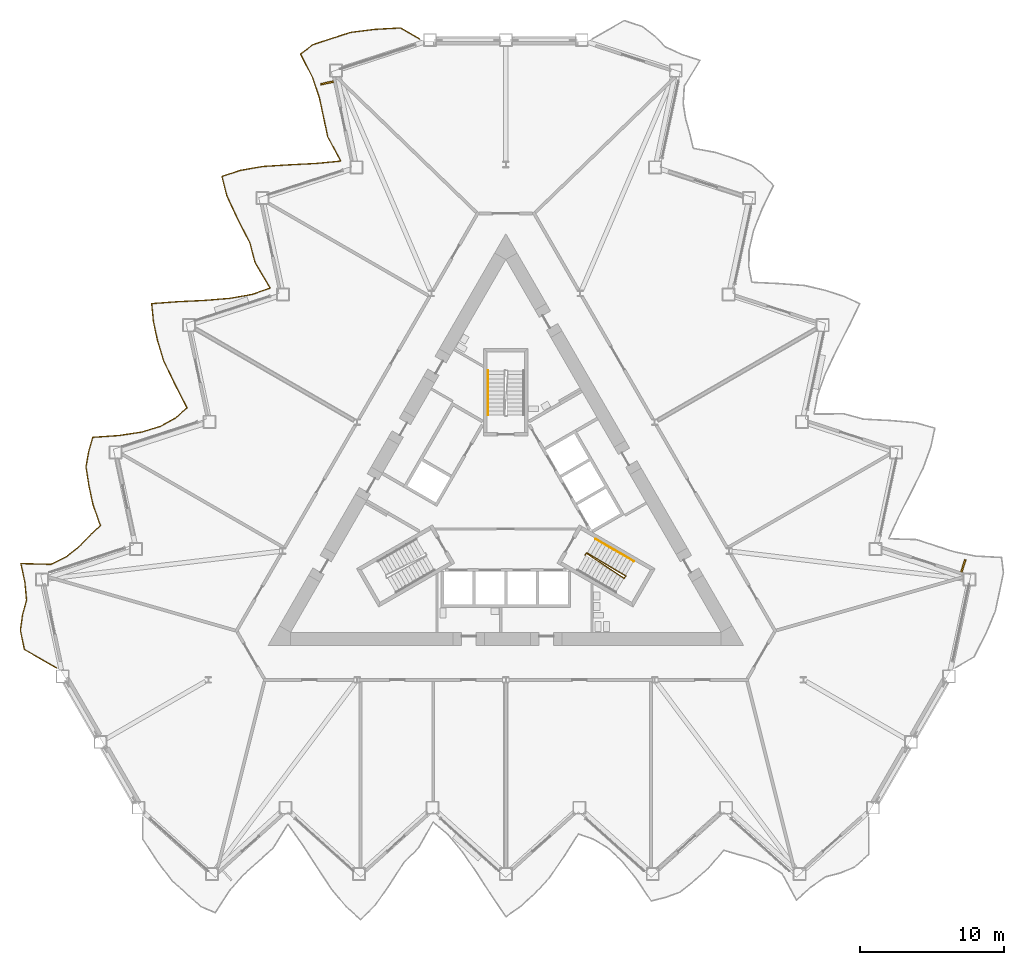
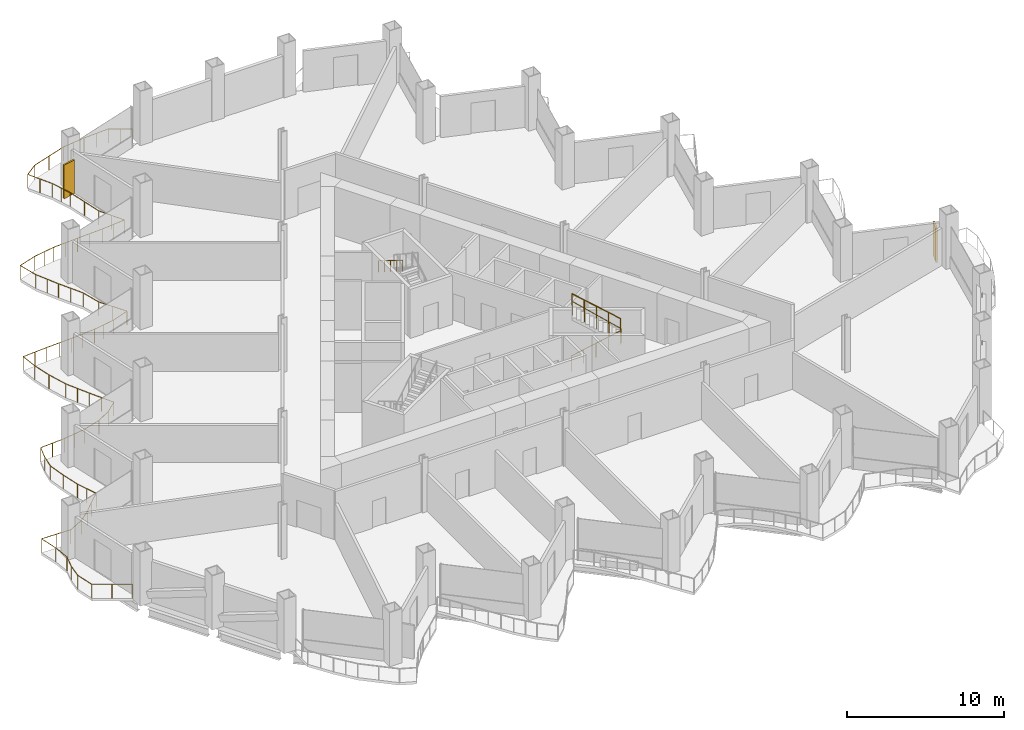
# One storey, part 18 of 21: 4 railings, 2 shading devices.
"""IFC4 building model written with IfcOpenShell, lengths in metres."""

from ifc_helpers import new_model, si_unit, direction, frame, origin, origin_2d, place, context, subcontext, project, spatial, rectangle, circle, extrude, material, layer, layer_set, type_object, element, save


model = new_model("IFC4")

# Units and contexts
model_context = context("Model", 3, precision=1e-05, world=origin(), true_north=direction((0.0, 1.0)))
body_context = subcontext(model_context, "Body", "Model", "MODEL_VIEW")
ifc_project = project(units=[si_unit("LENGTHUNIT", "METRE"), si_unit("AREAUNIT", "SQUARE_METRE"), si_unit("VOLUMEUNIT", "CUBIC_METRE"), si_unit("PLANEANGLEUNIT", "RADIAN"), si_unit("MASSUNIT", "GRAM", prefix="KILO")], contexts=[model_context])

# Site, building, storey
site_placement = place(None, origin())
site = spatial("IfcSite", under=ifc_project, at=site_placement, CompositionType="ELEMENT")
building_placement = place(site_placement, origin())
building = spatial("IfcBuilding", under=site, at=building_placement, Name="Cormorant Prow Tower", CompositionType="ELEMENT")
storey_placement = place(building_placement, frame((0.0, 0.0, 124.800048828125)))
storey = spatial("IfcBuildingStorey", under=building, at=storey_placement, Name="L26", CompositionType="ELEMENT", Elevation=124.800048828125)

# Railings
ifc_material_1 = material(Name="Aluminium 6063-T6", Category="aluminium")
railing_type_1 = type_object("IfcRailingType", Name="Balcony guard 1100", PredefinedType="GUARDRAIL", material=ifc_material_1)
railing_1_placement = place(storey_placement, frame((-5.990234375, 32.576416015625, 0.0)))
element("IfcRailing", 1, at=railing_1_placement, inside=storey, type_object=railing_type_1, Name="Balcony guard WNW", PredefinedType="GUARDRAIL", context=body_context, shape_type="SweptSolid", body=[
    extrude(circle(Radius=0.02392578125, at=origin_2d()), frame((0.0, 0.0, 1.076171875), z_axis=(-0.866030456496, 0.499991248344, 0.0), x_axis=(-0.499991248344, -0.866030456496, 0.0)), (0.0, 0.0, 1.0), 1.52001953125),
    extrude(circle(Radius=0.02392578125, at=origin_2d()), frame((-1.31640625, 0.760009765625, 1.076171875), z_axis=(-0.998474175615, -0.055220654009, 0.0), x_axis=(0.055220654009, -0.998474175615, 0.0)), (0.0, 0.0, 1.0), 1.84375),
    extrude(circle(Radius=0.02392578125, at=origin_2d()), frame((-3.1572265625, 0.658203125, 1.076171875), z_axis=(-0.991854590145, -0.127375319462, 0.0), x_axis=(0.127375319462, -0.991854590145, 0.0)), (0.0, 0.0, 1.0), 1.663818359375),
    extrude(circle(Radius=0.02392578125, at=origin_2d()), frame((-4.807373046875, 0.4462890625, 1.076171875), z_axis=(-0.95106578465, -0.308988467857, 0.0), x_axis=(0.308988467857, -0.95106578465, 0.0)), (0.0, 0.0, 1.0), 1.357421875),
    extrude(circle(Radius=0.02392578125, at=origin_2d()), frame((-6.098388671875, 0.02685546875, 1.076171875), z_axis=(-0.951048608924, -0.309041329701, 0.0), x_axis=(0.309041329701, -0.951048608924, 0.0)), (0.0, 0.0, 1.0), 1.357177734375),
    extrude(circle(Radius=0.02392578125, at=origin_2d()), frame((-7.38916015625, -0.392578125, 1.076171875), z_axis=(-0.800293589886, -0.599608347162, 0.0), x_axis=(0.599608347162, -0.800293589886, 0.0)), (0.0, 0.0, 1.0), 1.097412109375),
    extrude(circle(Radius=0.02392578125, at=origin_2d()), frame((-8.267333984375, -1.050537109375, 1.076171875), z_axis=(0.453743986862, -0.891132085825, 0.0), x_axis=(0.891132085825, 0.453743986862, 0.0)), (0.0, 0.0, 1.0), 1.850830078125),
    extrude(circle(Radius=0.02392578125, at=origin_2d()), frame((-7.427490234375, -2.699951171875, 1.076171875), z_axis=(0.316324106754, -0.948651179036, 0.0), x_axis=(0.948651179036, 0.316324106754, 0.0)), (0.0, 0.0, 1.0), 1.5205078125),
    extrude(circle(Radius=0.02392578125, at=origin_2d()), frame((-6.946533203125, -4.142333984375, 1.076171875), z_axis=(0.20793189794, -0.978143305359, 0.0), x_axis=(0.978143305359, 0.20793189794, 0.0)), (0.0, 0.0, 1.0), 1.357421875),
    extrude(circle(Radius=0.02392578125, at=origin_2d()), frame((-6.664306640625, -5.469970703125, 1.076171875), z_axis=(0.20793189794, -0.978143305359, 0.0), x_axis=(0.978143305359, 0.20793189794, 0.0)), (0.0, 0.0, 1.0), 1.357421875),
    extrude(circle(Radius=0.02392578125, at=origin_2d()), frame((-6.382080078125, -6.797607421875, 1.076171875), z_axis=(0.472585856924, -0.881284634971, 0.0), x_axis=(0.881284634971, 0.472585856924, 0.0)), (0.0, 0.0, 1.0), 1.91455078125),
    extrude(circle(Radius=0.02392578125, at=origin_2d()), frame((-5.477294921875, -8.48486328125, 1.076171875), z_axis=(-0.995503667949, -0.094723001955, 0.0), x_axis=(0.094723001955, -0.995503667949, 0.0)), (0.0, 0.0, 1.0), 1.73974609375),
    extrude(circle(Radius=0.02392578125, at=origin_2d()), frame((-7.209228515625, -8.649658203125, 1.076171875), z_axis=(-0.998717669659, -0.050626241319, 0.0), x_axis=(0.050626241319, -0.998717669659, 0.0)), (0.0, 0.0, 1.0), 1.856689453125),
    extrude(circle(Radius=0.02392578125, at=origin_2d()), frame((-9.0634765625, -8.74365234375, 1.076171875), z_axis=(-0.998053099231, -0.062369953633, 0.0), x_axis=(0.062369953633, -0.998053099231, 0.0)), (0.0, 0.0, 1.0), 1.82421875),
    extrude(circle(Radius=0.02392578125, at=origin_2d()), frame((-10.884033203125, -8.857421875, 1.076171875), z_axis=(-0.985083819846, -0.172075180891, 0.0), x_axis=(0.172075180891, -0.985083819846, 0.0)), (0.0, 0.0, 1.0), 1.572021484375),
    extrude(circle(Radius=0.02392578125, at=origin_2d()), frame((-12.4326171875, -9.1279296875, 1.076171875), z_axis=(-0.950995727537, -0.309204020359, 0.0), x_axis=(0.309204020359, -0.950995727537, 0.0)), (0.0, 0.0, 1.0), 1.357177734375),
    extrude(circle(Radius=0.02392578125, at=origin_2d()), frame((-13.723388671875, -9.547607421875, 1.076171875), z_axis=(0.245636474216, -0.969362018306, 0.0), x_axis=(0.969362018306, 0.245636474216, 0.0)), (0.0, 0.0, 1.0), 1.407470703125),
    extrude(circle(Radius=0.02392578125, at=origin_2d()), frame((-13.377685546875, -10.911865234375, 1.076171875), z_axis=(0.422497782382, -0.906363957736, 0.0), x_axis=(0.906363957736, 0.422497782382, 0.0)), (0.0, 0.0, 1.0), 1.75830078125),
    extrude(circle(Radius=0.02392578125, at=origin_2d()), frame((-12.634765625, -12.505615234375, 1.076171875), z_axis=(0.456740140869, -0.889600159464, 0.0), x_axis=(0.889600159464, 0.456740140869, 0.0)), (0.0, 0.0, 1.0), 1.860595703125),
    extrude(circle(Radius=0.02392578125, at=origin_2d()), frame((-11.784912109375, -14.160888671875, 1.076171875), z_axis=(0.253332549475, -0.967379253125, 0.0), x_axis=(0.967379253125, 0.253332549475, 0.0)), (0.0, 0.0, 1.0), 1.418701171875),
    extrude(circle(Radius=0.02392578125, at=origin_2d()), frame((-11.425537109375, -15.533203125, 1.076171875), z_axis=(0.50874934015, -0.860914693159, 0.0), x_axis=(0.860914693159, 0.50874934015, 0.0)), (0.0, 0.0, 1.0), 2.053466796875),
    extrude(circle(Radius=0.02392578125, at=origin_2d()), frame((-10.380859375, -17.301025390625, 1.076171875), z_axis=(-0.942963166719, -0.332897080508, 0.0), x_axis=(0.332897080508, -0.942963166719, 0.0)), (0.0, 0.0, 1.0), 1.327392578125),
    extrude(circle(Radius=0.02392578125, at=origin_2d()), frame((-11.632568359375, -17.742919921875, 1.076171875), z_axis=(-0.984852365608, -0.173394976733, 0.0), x_axis=(0.173394976733, -0.984852365608, 0.0)), (0.0, 0.0, 1.0), 1.56982421875),
    extrude(circle(Radius=0.02392578125, at=origin_2d()), frame((-13.1787109375, -18.01513671875, 1.076171875), z_axis=(-0.996759511029, -0.080439276307, 0.0), x_axis=(0.080439276307, -0.996759511029, 0.0)), (0.0, 0.0, 1.0), 1.775634765625),
    extrude(circle(Radius=0.02392578125, at=origin_2d()), frame((-14.948486328125, -18.157958984375, 1.076171875), z_axis=(-0.998817168661, -0.048623693685, 0.0), x_axis=(0.048623693685, -0.998817168661, 0.0)), (0.0, 0.0, 1.0), 1.86279296875),
    extrude(circle(Radius=0.02392578125, at=origin_2d()), frame((-16.80908203125, -18.24853515625, 1.076171875), z_axis=(-0.997407442267, -0.071961059679, 0.0), x_axis=(0.071961059679, -0.997407442267, 0.0)), (0.0, 0.0, 1.0), 1.798095703125),
    extrude(circle(Radius=0.02392578125, at=origin_2d()), frame((-18.6025390625, -18.3779296875, 1.076171875), z_axis=(0.095227770091, -0.995455509706, 0.0), x_axis=(0.995455509706, 0.095227770091, 0.0)), (0.0, 0.0, 1.0), 1.23828125),
    extrude(circle(Radius=0.02392578125, at=origin_2d()), frame((-18.484619140625, -19.610595703125, 1.076171875), z_axis=(0.20793189794, -0.978143305359, 0.0), x_axis=(0.978143305359, 0.20793189794, 0.0)), (0.0, 0.0, 1.0), 1.357421875),
    extrude(circle(Radius=0.02392578125, at=origin_2d()), frame((-18.202392578125, -20.938232421875, 1.076171875), z_axis=(0.289883332511, -0.957061990433, 0.0), x_axis=(0.957061990433, 0.289883332511, 0.0)), (0.0, 0.0, 1.0), 1.474609375),
    extrude(circle(Radius=0.02392578125, at=origin_2d()), frame((-17.77490234375, -22.349609375, 1.076171875), z_axis=(0.434139257323, -0.900845772178, 0.0), x_axis=(0.900845772178, 0.434139257323, 0.0)), (0.0, 0.0, 1.0), 1.791748046875),
    extrude(circle(Radius=0.02392578125, at=origin_2d()), frame((-16.9970703125, -23.963623046875, 1.076171875), z_axis=(0.457457560899, -0.889231454671, 0.0), x_axis=(0.889231454671, 0.457457560899, 0.0)), (0.0, 0.0, 1.0), 1.863037109375),
    extrude(circle(Radius=0.02392578125, at=origin_2d()), frame((-16.144775390625, -25.620361328125, 1.076171875), z_axis=(-0.754290023722, -0.656541362074, 0.0), x_axis=(0.656541362074, -0.754290023722, 0.0)), (0.0, 0.0, 1.0), 1.06640625),
    extrude(circle(Radius=0.02392578125, at=origin_2d()), frame((-16.94921875, -26.320556640625, 1.076171875), z_axis=(-0.872147372574, -0.489243252904, 0.0), x_axis=(0.489243252904, -0.872147372574, 0.0)), (0.0, 0.0, 1.0), 1.173095703125),
    extrude(circle(Radius=0.02392578125, at=origin_2d()), frame((-17.972412109375, -26.89453125, 1.076171875), z_axis=(-0.955767508134, -0.294123223149, 0.0), x_axis=(0.294123223149, -0.955767508134, 0.0)), (0.0, 0.0, 1.0), 1.376953125),
    extrude(circle(Radius=0.02392578125, at=origin_2d()), frame((-19.28857421875, -27.299560546875, 1.076171875), z_axis=(-0.988983844965, -0.148023492723, 0.0), x_axis=(0.148023492723, -0.988983844965, 0.0)), (0.0, 0.0, 1.0), 1.61962890625),
    extrude(circle(Radius=0.02392578125, at=origin_2d()), frame((-20.890380859375, -27.539306640625, 1.076171875), z_axis=(-0.997620720209, -0.068941269283, 0.0), x_axis=(0.068941269283, -0.997620720209, 0.0)), (0.0, 0.0, 1.0), 1.80615234375),
    extrude(circle(Radius=0.02392578125, at=origin_2d()), frame((-22.692138671875, -27.663818359375, 1.076171875), z_axis=(-0.275713553861, -0.961239843232, 0.0), x_axis=(0.961239843232, -0.275713553861, 0.0)), (0.0, 0.0, 1.0), 1.03955078125),
    extrude(circle(Radius=0.02392578125, at=origin_2d()), frame((-22.978759765625, -28.6630859375, 1.076171875), z_axis=(-0.173759385032, -0.984788137679, 0.0), x_axis=(0.984788137679, -0.173759385032, 0.0)), (0.0, 0.0, 1.0), 1.073486328125),
    extrude(circle(Radius=0.02392578125, at=origin_2d()), frame((-23.165283203125, -29.72021484375, 1.076171875), z_axis=(0.1555081731, -0.98783460564, 0.0), x_axis=(0.98783460564, 0.1555081731, 0.0)), (0.0, 0.0, 1.0), 1.296875),
    extrude(circle(Radius=0.02392578125, at=origin_2d()), frame((-22.963623046875, -31.001220703125, 1.076171875), z_axis=(0.20793189794, -0.978143305359, 0.0), x_axis=(0.978143305359, 0.20793189794, 0.0)), (0.0, 0.0, 1.0), 1.357421875),
    extrude(circle(Radius=0.02392578125, at=origin_2d()), frame((-22.681396484375, -32.328857421875, 1.076171875), z_axis=(0.333946049225, -0.942592189766, 0.0), x_axis=(0.942592189766, 0.333946049225, 0.0)), (0.0, 0.0, 1.0), 1.553466796875),
    extrude(circle(Radius=0.02392578125, at=origin_2d()), frame((-22.16259765625, -33.793212890625, 1.076171875), z_axis=(-0.727886865403, -0.685697244542, 0.0), x_axis=(0.685697244542, -0.727886865403, 0.0)), (0.0, 0.0, 1.0), 1.05322265625),
    extrude(circle(Radius=0.02392578125, at=origin_2d()), frame((-22.92919921875, -34.515380859375, 1.076171875), z_axis=(-0.697302838834, -0.716776639515, 0.0), x_axis=(0.716776639515, -0.697302838834, 0.0)), (0.0, 0.0, 1.0), 1.04052734375),
    extrude(circle(Radius=0.02392578125, at=origin_2d()), frame((-23.65478515625, -35.26123046875, 1.076171875), z_axis=(-0.777996371959, -0.628268768299, 0.0), x_axis=(0.628268768299, -0.777996371959, 0.0)), (0.0, 0.0, 1.0), 1.0810546875),
    extrude(circle(Radius=0.02392578125, at=origin_2d()), frame((-24.495849609375, -35.9404296875, 1.076171875), z_axis=(-0.894669408042, -0.44672883309, 0.0), x_axis=(0.44672883309, -0.894669408042, 0.0)), (0.0, 0.0, 1.0), 1.208984375),
    extrude(circle(Radius=0.02392578125, at=origin_2d()), frame((-25.577392578125, -36.48046875, 1.076171875), z_axis=(-0.999698475204, 0.024555216863, 0.0), x_axis=(-0.024555216863, -0.999698475204, 0.0)), (0.0, 0.0, 1.0), 2.10791015625),
    extrude(circle(Radius=0.02392578125, at=origin_2d()), frame((-27.6845703125, -36.4287109375, 1.076171875), z_axis=(0.20793189794, -0.978143305359, 0.0), x_axis=(0.978143305359, 0.20793189794, 0.0)), (0.0, 0.0, 1.0), 1.357421875),
    extrude(circle(Radius=0.02392578125, at=origin_2d()), frame((-27.40234375, -37.75634765625, 1.076171875), z_axis=(0.089286168231, -0.99600601412, 0.0), x_axis=(0.99600601412, 0.089286168231, 0.0)), (0.0, 0.0, 1.0), 1.233154296875),
    extrude(circle(Radius=0.02392578125, at=origin_2d()), frame((-27.292236328125, -38.984619140625, 1.076171875), z_axis=(-0.267100034332, -0.963668808077, 0.0), x_axis=(0.963668808077, -0.267100034332, 0.0)), (0.0, 0.0, 1.0), 1.0419921875),
    extrude(circle(Radius=0.02392578125, at=origin_2d()), frame((-27.570556640625, -39.98876953125, 1.076171875), z_axis=(-0.13486327355, -0.990864217462, 0.0), x_axis=(0.990864217462, -0.13486327355, 0.0)), (0.0, 0.0, 1.0), 1.08984375),
    extrude(circle(Radius=0.02392578125, at=origin_2d()), frame((-27.717529296875, -41.068603515625, 1.076171875), z_axis=(0.203405975868, -0.979094484195, 0.0), x_axis=(0.979094484195, 0.203405975868, 0.0)), (0.0, 0.0, 1.0), 1.3515625),
    extrude(circle(Radius=0.02392578125, at=origin_2d()), frame((-27.442626953125, -42.391845703125, 1.076171875), z_axis=(0.86598941085, -0.50006233641, 0.0), x_axis=(0.50006233641, 0.86598941085, 0.0)), (0.0, 0.0, 1.0), 2.570068359375),
    extrude(circle(Radius=0.02099609375, at=origin_2d()), origin(), (0.0, 0.0, 1.0), 1.052001953125),
    extrude(circle(Radius=0.02099609375, at=origin_2d()), frame((-0.658203125, 0.3798828125, 0.0)), (0.0, 0.0, 1.0), 1.052001953125),
    extrude(circle(Radius=0.02099609375, at=origin_2d()), frame((-1.31640625, 0.760009765625, 0.0)), (0.0, 0.0, 1.0), 1.052001953125),
    extrude(circle(Radius=0.02099609375, at=origin_2d()), frame((-2.23681640625, 0.708984375, 0.0)), (0.0, 0.0, 1.0), 1.052001953125),
    extrude(circle(Radius=0.02099609375, at=origin_2d()), frame((-3.1572265625, 0.658203125, 0.0)), (0.0, 0.0, 1.0), 1.052001953125),
    extrude(circle(Radius=0.02099609375, at=origin_2d()), frame((-3.982421875, 0.55224609375, 0.0)), (0.0, 0.0, 1.0), 1.052001953125),
    extrude(circle(Radius=0.02099609375, at=origin_2d()), frame((-4.807373046875, 0.4462890625, 0.0)), (0.0, 0.0, 1.0), 1.052001953125),
    extrude(circle(Radius=0.02099609375, at=origin_2d()), frame((-6.098388671875, 0.02685546875, 0.0)), (0.0, 0.0, 1.0), 1.052001953125),
    extrude(circle(Radius=0.02099609375, at=origin_2d()), frame((-7.38916015625, -0.392578125, 0.0)), (0.0, 0.0, 1.0), 1.052001953125),
    extrude(circle(Radius=0.02099609375, at=origin_2d()), frame((-8.267333984375, -1.050537109375, 0.0)), (0.0, 0.0, 1.0), 1.052001953125),
    extrude(circle(Radius=0.02099609375, at=origin_2d()), frame((-7.847412109375, -1.875244140625, 0.0)), (0.0, 0.0, 1.0), 1.052001953125),
    extrude(circle(Radius=0.02099609375, at=origin_2d()), frame((-7.427490234375, -2.699951171875, 0.0)), (0.0, 0.0, 1.0), 1.052001953125),
    extrude(circle(Radius=0.02099609375, at=origin_2d()), frame((-7.18701171875, -3.421142578125, 0.0)), (0.0, 0.0, 1.0), 1.052001953125),
    extrude(circle(Radius=0.02099609375, at=origin_2d()), frame((-6.946533203125, -4.142333984375, 0.0)), (0.0, 0.0, 1.0), 1.052001953125),
    extrude(circle(Radius=0.02099609375, at=origin_2d()), frame((-6.664306640625, -5.469970703125, 0.0)), (0.0, 0.0, 1.0), 1.052001953125),
    extrude(circle(Radius=0.02099609375, at=origin_2d()), frame((-6.382080078125, -6.797607421875, 0.0)), (0.0, 0.0, 1.0), 1.052001953125),
    extrude(circle(Radius=0.02099609375, at=origin_2d()), frame((-5.9296875, -7.64111328125, 0.0)), (0.0, 0.0, 1.0), 1.052001953125),
    extrude(circle(Radius=0.02099609375, at=origin_2d()), frame((-5.477294921875, -8.48486328125, 0.0)), (0.0, 0.0, 1.0), 1.052001953125),
    extrude(circle(Radius=0.02099609375, at=origin_2d()), frame((-6.34326171875, -8.5673828125, 0.0)), (0.0, 0.0, 1.0), 1.052001953125),
    extrude(circle(Radius=0.02099609375, at=origin_2d()), frame((-7.209228515625, -8.649658203125, 0.0)), (0.0, 0.0, 1.0), 1.052001953125),
    extrude(circle(Radius=0.02099609375, at=origin_2d()), frame((-8.13623046875, -8.69677734375, 0.0)), (0.0, 0.0, 1.0), 1.052001953125),
    extrude(circle(Radius=0.02099609375, at=origin_2d()), frame((-9.0634765625, -8.74365234375, 0.0)), (0.0, 0.0, 1.0), 1.052001953125),
    extrude(circle(Radius=0.02099609375, at=origin_2d()), frame((-9.9736328125, -8.800537109375, 0.0)), (0.0, 0.0, 1.0), 1.052001953125),
    extrude(circle(Radius=0.02099609375, at=origin_2d()), frame((-10.884033203125, -8.857421875, 0.0)), (0.0, 0.0, 1.0), 1.052001953125),
    extrude(circle(Radius=0.02099609375, at=origin_2d()), frame((-11.658203125, -8.99267578125, 0.0)), (0.0, 0.0, 1.0), 1.052001953125),
    extrude(circle(Radius=0.02099609375, at=origin_2d()), frame((-12.4326171875, -9.1279296875, 0.0)), (0.0, 0.0, 1.0), 1.052001953125),
    extrude(circle(Radius=0.02099609375, at=origin_2d()), frame((-13.723388671875, -9.547607421875, 0.0)), (0.0, 0.0, 1.0), 1.052001953125),
    extrude(circle(Radius=0.02099609375, at=origin_2d()), frame((-13.377685546875, -10.911865234375, 0.0)), (0.0, 0.0, 1.0), 1.052001953125),
    extrude(circle(Radius=0.02099609375, at=origin_2d()), frame((-13.00634765625, -11.708740234375, 0.0)), (0.0, 0.0, 1.0), 1.052001953125),
    extrude(circle(Radius=0.02099609375, at=origin_2d()), frame((-12.634765625, -12.505615234375, 0.0)), (0.0, 0.0, 1.0), 1.052001953125),
    extrude(circle(Radius=0.02099609375, at=origin_2d()), frame((-12.2099609375, -13.333251953125, 0.0)), (0.0, 0.0, 1.0), 1.052001953125),
    extrude(circle(Radius=0.02099609375, at=origin_2d()), frame((-11.784912109375, -14.160888671875, 0.0)), (0.0, 0.0, 1.0), 1.052001953125),
    extrude(circle(Radius=0.02099609375, at=origin_2d()), frame((-11.425537109375, -15.533203125, 0.0)), (0.0, 0.0, 1.0), 1.052001953125),
    extrude(circle(Radius=0.02099609375, at=origin_2d()), frame((-10.9033203125, -16.4169921875, 0.0)), (0.0, 0.0, 1.0), 1.052001953125),
    extrude(circle(Radius=0.02099609375, at=origin_2d()), frame((-10.380859375, -17.301025390625, 0.0)), (0.0, 0.0, 1.0), 1.052001953125),
    extrude(circle(Radius=0.02099609375, at=origin_2d()), frame((-11.632568359375, -17.742919921875, 0.0)), (0.0, 0.0, 1.0), 1.052001953125),
    extrude(circle(Radius=0.02099609375, at=origin_2d()), frame((-12.40576171875, -17.87890625, 0.0)), (0.0, 0.0, 1.0), 1.052001953125),
    extrude(circle(Radius=0.02099609375, at=origin_2d()), frame((-13.1787109375, -18.01513671875, 0.0)), (0.0, 0.0, 1.0), 1.052001953125),
    extrude(circle(Radius=0.02099609375, at=origin_2d()), frame((-14.0634765625, -18.08642578125, 0.0)), (0.0, 0.0, 1.0), 1.052001953125),
    extrude(circle(Radius=0.02099609375, at=origin_2d()), frame((-14.948486328125, -18.157958984375, 0.0)), (0.0, 0.0, 1.0), 1.052001953125),
    extrude(circle(Radius=0.02099609375, at=origin_2d()), frame((-15.87890625, -18.203125, 0.0)), (0.0, 0.0, 1.0), 1.052001953125),
    extrude(circle(Radius=0.02099609375, at=origin_2d()), frame((-16.80908203125, -18.24853515625, 0.0)), (0.0, 0.0, 1.0), 1.052001953125),
    extrude(circle(Radius=0.02099609375, at=origin_2d()), frame((-17.705810546875, -18.313232421875, 0.0)), (0.0, 0.0, 1.0), 1.052001953125),
    extrude(circle(Radius=0.02099609375, at=origin_2d()), frame((-18.6025390625, -18.3779296875, 0.0)), (0.0, 0.0, 1.0), 1.052001953125),
    extrude(circle(Radius=0.02099609375, at=origin_2d()), frame((-18.484619140625, -19.610595703125, 0.0)), (0.0, 0.0, 1.0), 1.052001953125),
    extrude(circle(Radius=0.02099609375, at=origin_2d()), frame((-18.202392578125, -20.938232421875, 0.0)), (0.0, 0.0, 1.0), 1.052001953125),
    extrude(circle(Radius=0.02099609375, at=origin_2d()), frame((-17.77490234375, -22.349609375, 0.0)), (0.0, 0.0, 1.0), 1.052001953125),
    extrude(circle(Radius=0.02099609375, at=origin_2d()), frame((-17.385986328125, -23.15673828125, 0.0)), (0.0, 0.0, 1.0), 1.052001953125),
    extrude(circle(Radius=0.02099609375, at=origin_2d()), frame((-16.9970703125, -23.963623046875, 0.0)), (0.0, 0.0, 1.0), 1.052001953125),
    extrude(circle(Radius=0.02099609375, at=origin_2d()), frame((-16.57080078125, -24.7919921875, 0.0)), (0.0, 0.0, 1.0), 1.052001953125),
    extrude(circle(Radius=0.02099609375, at=origin_2d()), frame((-16.144775390625, -25.620361328125, 0.0)), (0.0, 0.0, 1.0), 1.052001953125),
    extrude(circle(Radius=0.02099609375, at=origin_2d()), frame((-16.94921875, -26.320556640625, 0.0)), (0.0, 0.0, 1.0), 1.052001953125),
    extrude(circle(Radius=0.02099609375, at=origin_2d()), frame((-17.972412109375, -26.89453125, 0.0)), (0.0, 0.0, 1.0), 1.052001953125),
    extrude(circle(Radius=0.02099609375, at=origin_2d()), frame((-19.28857421875, -27.299560546875, 0.0)), (0.0, 0.0, 1.0), 1.052001953125),
    extrude(circle(Radius=0.02099609375, at=origin_2d()), frame((-20.08935546875, -27.41943359375, 0.0)), (0.0, 0.0, 1.0), 1.052001953125),
    extrude(circle(Radius=0.02099609375, at=origin_2d()), frame((-20.890380859375, -27.539306640625, 0.0)), (0.0, 0.0, 1.0), 1.052001953125),
    extrude(circle(Radius=0.02099609375, at=origin_2d()), frame((-21.791259765625, -27.6015625, 0.0)), (0.0, 0.0, 1.0), 1.052001953125),
    extrude(circle(Radius=0.02099609375, at=origin_2d()), frame((-22.692138671875, -27.663818359375, 0.0)), (0.0, 0.0, 1.0), 1.052001953125),
    extrude(circle(Radius=0.02099609375, at=origin_2d()), frame((-22.978759765625, -28.6630859375, 0.0)), (0.0, 0.0, 1.0), 1.052001953125),
    extrude(circle(Radius=0.02099609375, at=origin_2d()), frame((-23.165283203125, -29.72021484375, 0.0)), (0.0, 0.0, 1.0), 1.052001953125),
    extrude(circle(Radius=0.02099609375, at=origin_2d()), frame((-22.963623046875, -31.001220703125, 0.0)), (0.0, 0.0, 1.0), 1.052001953125),
    extrude(circle(Radius=0.02099609375, at=origin_2d()), frame((-22.681396484375, -32.328857421875, 0.0)), (0.0, 0.0, 1.0), 1.052001953125),
    extrude(circle(Radius=0.02099609375, at=origin_2d()), frame((-22.421875, -33.06103515625, 0.0)), (0.0, 0.0, 1.0), 1.052001953125),
    extrude(circle(Radius=0.02099609375, at=origin_2d()), frame((-22.16259765625, -33.793212890625, 0.0)), (0.0, 0.0, 1.0), 1.052001953125),
    extrude(circle(Radius=0.02099609375, at=origin_2d()), frame((-22.92919921875, -34.515380859375, 0.0)), (0.0, 0.0, 1.0), 1.052001953125),
    extrude(circle(Radius=0.02099609375, at=origin_2d()), frame((-23.65478515625, -35.26123046875, 0.0)), (0.0, 0.0, 1.0), 1.052001953125),
    extrude(circle(Radius=0.02099609375, at=origin_2d()), frame((-24.495849609375, -35.9404296875, 0.0)), (0.0, 0.0, 1.0), 1.052001953125),
    extrude(circle(Radius=0.02099609375, at=origin_2d()), frame((-25.577392578125, -36.48046875, 0.0)), (0.0, 0.0, 1.0), 1.052001953125),
    extrude(circle(Radius=0.02099609375, at=origin_2d()), frame((-26.630859375, -36.45458984375, 0.0)), (0.0, 0.0, 1.0), 1.052001953125),
    extrude(circle(Radius=0.02099609375, at=origin_2d()), frame((-27.6845703125, -36.4287109375, 0.0)), (0.0, 0.0, 1.0), 1.052001953125),
    extrude(circle(Radius=0.02099609375, at=origin_2d()), frame((-27.40234375, -37.75634765625, 0.0)), (0.0, 0.0, 1.0), 1.052001953125),
    extrude(circle(Radius=0.02099609375, at=origin_2d()), frame((-27.292236328125, -38.984619140625, 0.0)), (0.0, 0.0, 1.0), 1.052001953125),
    extrude(circle(Radius=0.02099609375, at=origin_2d()), frame((-27.570556640625, -39.98876953125, 0.0)), (0.0, 0.0, 1.0), 1.052001953125),
    extrude(circle(Radius=0.02099609375, at=origin_2d()), frame((-27.717529296875, -41.068603515625, 0.0)), (0.0, 0.0, 1.0), 1.052001953125),
    extrude(circle(Radius=0.02099609375, at=origin_2d()), frame((-27.442626953125, -42.391845703125, 0.0)), (0.0, 0.0, 1.0), 1.052001953125),
    extrude(circle(Radius=0.02099609375, at=origin_2d()), frame((-26.329833984375, -43.034423828125, 0.0)), (0.0, 0.0, 1.0), 1.052001953125),
    extrude(circle(Radius=0.02099609375, at=origin_2d()), frame((-25.217041015625, -43.677001953125, 0.0)), (0.0, 0.0, 1.0), 1.052001953125),
])
ifc_material_2 = material(Name="Stainless steel", Category="steel")
railing_type_2 = type_object("IfcRailingType", Name="Stair guard 1100", PredefinedType="GUARDRAIL", material=ifc_material_2)
railing_2_placement = place(storey_placement, frame((5.510009765625, -3.267822265625, 0.0)))
element("IfcRailing", 2, at=railing_2_placement, inside=storey, type_object=railing_type_2, Name="L26 ST2 stair guard 1", PredefinedType="GUARDRAIL", context=body_context, shape_type="SweptSolid", body=[
    extrude(circle(Radius=0.02392578125, at=origin_2d()), frame((0.0, 0.0, 1.076171875), z_axis=(0.501036270542, 0.865426285481, 0.0), x_axis=(-0.865426285481, 0.501036270542, 0.0)), (0.0, 0.0, 1.0), 0.150146484375),
    extrude(circle(Radius=0.02392578125, at=origin_2d()), frame((0.0751953125, 0.1298828125, 1.076171875), z_axis=(0.691655524431, -0.460543096787, 0.55633864824), x_axis=(0.554233058506, 0.832361530141, 0.0)), (0.0, 0.0, 1.0), 3.7744140625),
    extrude(circle(Radius=0.02392578125, at=origin_2d()), frame((2.685791015625, -1.6083984375, 3.17578125), z_axis=(0.695164929852, 0.718850276695, 0.0), x_axis=(-0.718850276695, 0.695164929852, 0.0)), (0.0, 0.0, 1.0), 0.2060546875),
    extrude(circle(Radius=0.02392578125, at=origin_2d()), frame((2.8291015625, -1.460205078125, 3.17578125), z_axis=(-0.712463317363, 0.426661970256, 0.557095669117), x_axis=(-0.513773053629, -0.857926132814, 0.0)), (0.0, 0.0, 1.0), 3.769775390625),
    extrude(circle(Radius=0.02099609375, at=origin_2d()), origin(), (0.0, 0.0, 1.0), 1.052001953125),
    extrude(circle(Radius=0.02099609375, at=origin_2d()), frame((0.0751953125, 0.1298828125, 0.0)), (0.0, 0.0, 1.0), 1.052001953125),
    extrude(circle(Radius=0.02099609375, at=origin_2d()), frame((0.727783203125, -0.3046875, 0.52490234375)), (0.0, 0.0, 1.0), 1.052001953125),
    extrude(circle(Radius=0.02099609375, at=origin_2d()), frame((1.38037109375, -0.7392578125, 1.0498046875)), (0.0, 0.0, 1.0), 1.052001953125),
    extrude(circle(Radius=0.02099609375, at=origin_2d()), frame((2.033203125, -1.173828125, 1.574951171875)), (0.0, 0.0, 1.0), 1.052001953125),
    extrude(circle(Radius=0.02099609375, at=origin_2d()), frame((2.685791015625, -1.6083984375, 2.099853515625)), (0.0, 0.0, 1.0), 1.052001953125),
    extrude(circle(Radius=0.02099609375, at=origin_2d()), frame((2.8291015625, -1.460205078125, 2.099853515625)), (0.0, 0.0, 1.0), 1.052001953125),
    extrude(circle(Radius=0.02099609375, at=origin_2d()), frame((2.15771484375, -1.05810546875, 2.625)), (0.0, 0.0, 1.0), 1.052001953125),
    extrude(circle(Radius=0.02099609375, at=origin_2d()), frame((1.486328125, -0.656005859375, 3.14990234375)), (0.0, 0.0, 1.0), 1.052001953125),
    extrude(circle(Radius=0.02099609375, at=origin_2d()), frame((0.814697265625, -0.25390625, 3.6748046875)), (0.0, 0.0, 1.0), 1.052001953125),
    extrude(circle(Radius=0.02099609375, at=origin_2d()), frame((0.143310546875, 0.148193359375, 4.199951171875)), (0.0, 0.0, 1.0), 1.052001953125),
])
ifc_material_3 = material(Name="Stainless steel", Category="steel")
railing_type_3 = type_object("IfcRailingType", Name="Stair handrail 900", PredefinedType="HANDRAIL", material=ifc_material_3)
railing_3_placement = place(storey_placement, frame((8.88037109375, -3.690673828125, 2.27490234375)))
element("IfcRailing", 3, at=railing_3_placement, inside=storey, type_object=railing_type_3, Name="L26 ST2 stair handrail 2", PredefinedType="HANDRAIL", context=body_context, shape_type="SweptSolid", body=[
    extrude(circle(Radius=0.02392578125, at=origin_2d()), frame((0.0, 0.0, 0.8759765625), z_axis=(-0.734394994316, 0.423994474112, 0.52999309264), x_axis=(-0.499992328818, -0.866029832698, 0.0)), (0.0, 0.0, 1.0), 3.63232421875),
    extrude(circle(Radius=0.02099609375, at=origin_2d()), origin(), (0.0, 0.0, 1.0), 0.851806640625),
    extrude(circle(Radius=0.02099609375, at=origin_2d()), frame((-0.6669921875, 0.385009765625, 0.481201171875)), (0.0, 0.0, 1.0), 0.851806640625),
    extrude(circle(Radius=0.02099609375, at=origin_2d()), frame((-1.333740234375, 0.77001953125, 0.96240234375)), (0.0, 0.0, 1.0), 0.851806640625),
    extrude(circle(Radius=0.02099609375, at=origin_2d()), frame((-2.00048828125, 1.155029296875, 1.44384765625)), (0.0, 0.0, 1.0), 0.851806640625),
    extrude(circle(Radius=0.02099609375, at=origin_2d()), frame((-2.66748046875, 1.5400390625, 1.925048828125)), (0.0, 0.0, 1.0), 0.851806640625),
])
railing_4_placement = place(storey_placement, frame((-1.243896484375, 9.535888671875, 2.27490234375)))
element("IfcRailing", 4, at=railing_4_placement, inside=storey, type_object=railing_type_3, Name="L26 ST3 stair handrail 2", PredefinedType="HANDRAIL", context=body_context, shape_type="SweptSolid", body=[
    extrude(circle(Radius=0.02392578125, at=origin_2d()), frame((0.0, 0.0, 0.8759765625), z_axis=(0.0, -0.847998304005, 0.529998940003), x_axis=(1.0, 0.0, 0.0)), (0.0, 0.0, 1.0), 3.632080078125),
    extrude(circle(Radius=0.02099609375, at=origin_2d()), origin(), (0.0, 0.0, 1.0), 0.851806640625),
    extrude(circle(Radius=0.02099609375, at=origin_2d()), frame((0.0, -0.77001953125, 0.481201171875)), (0.0, 0.0, 1.0), 0.851806640625),
    extrude(circle(Radius=0.02099609375, at=origin_2d()), frame((0.0, -1.5400390625, 0.96240234375)), (0.0, 0.0, 1.0), 0.851806640625),
    extrude(circle(Radius=0.02099609375, at=origin_2d()), frame((0.0, -2.31005859375, 1.44384765625)), (0.0, 0.0, 1.0), 0.851806640625),
    extrude(circle(Radius=0.02099609375, at=origin_2d()), frame((0.0, -3.080078125, 1.925048828125)), (0.0, 0.0, 1.0), 0.851806640625),
])

# Shading devices
ifc_material_4 = material(Name="Terracotta", Category="masonry")
ifc_layer = layer(ifc_material_4, 0.1201171875)
ifc_layer_set = layer_set([ifc_layer], Name="Terracotta")
shading_device_type = type_object("IfcShadingDeviceType", Name="Terracotta baguette fin 120x900x2600", PredefinedType="USERDEFINED", material=ifc_layer_set)
for number, where, z_axis, x_axis, name in (
    (5, (31.76611328125, -4.00927734375, 0.0), (0.0, 0.0, 1.0), (-0.951056490871, 0.309017072623, 0.0), "Baguette fin ENE01"),
    (6, (-12.410888671875, 29.514892578125, 0.0), (0.0, 0.0, 1.0), (0.207911636836, -0.978147612208, 0.0), "Baguette fin WNW01"),
):
    element("IfcShadingDevice", number, at=place(storey_placement, frame(where, z_axis=z_axis, x_axis=x_axis)), inside=storey, type_object=shading_device_type, Name=name, ObjectType="BAGUETTE", PredefinedType="USERDEFINED", context=body_context, shape_type="SweptSolid", body=[
        extrude(rectangle(XDim=0.1201171875, YDim=0.89990234375, at=origin_2d()), origin(), (0.0, 0.0, 1.0), 2.60009765625),
    ])

save(model, "model.ifc")
